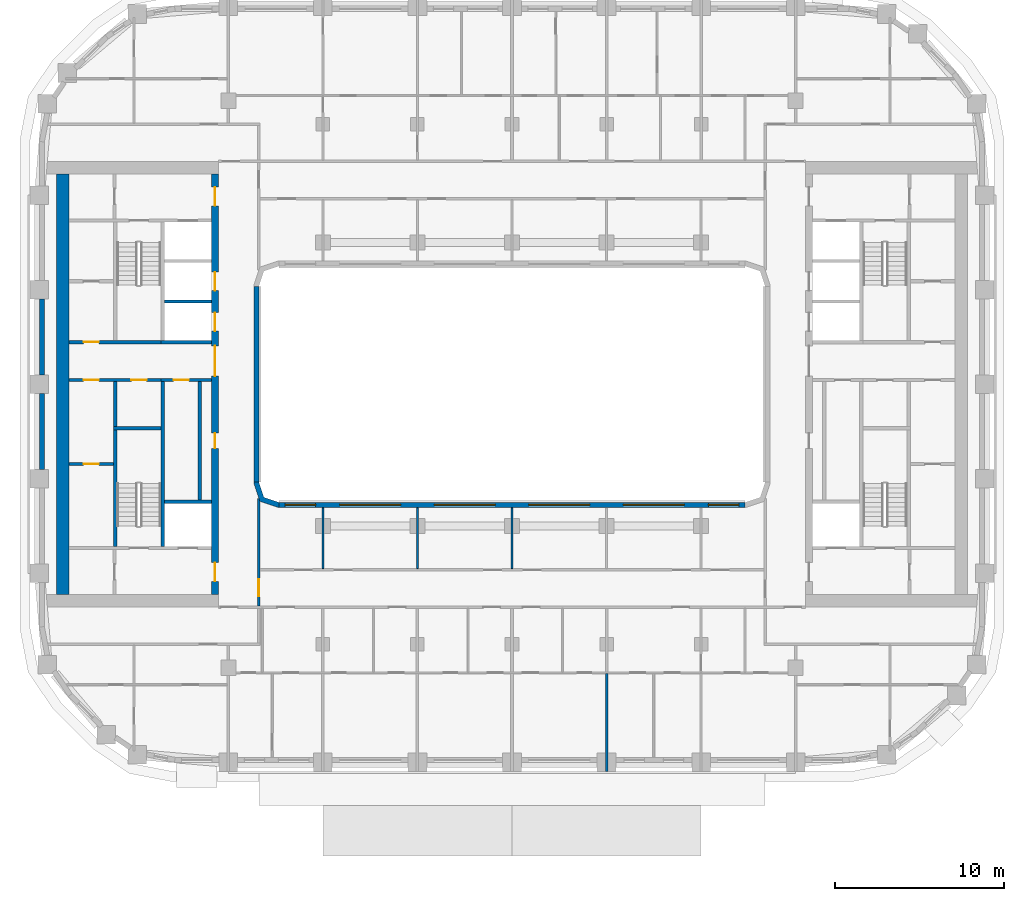
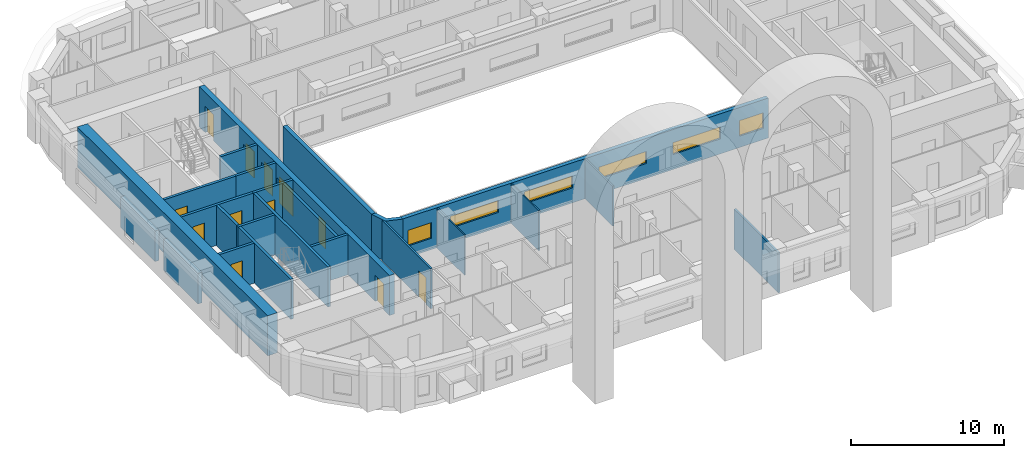
# One storey, part 4 of 18: 24 walls, 12 doors, 6 windows, 18 openings.
"""IFC4 building model written with IfcOpenShell, lengths in metres."""

from ifc_helpers import new_model, si_unit, direction, frame, frame_2d, origin, place, context, subcontext, project, spatial, polyline, rectangle, outline, extrude, material, layer, layer_set, type_object, element, fill, save


model = new_model("IFC4")

# Units and contexts
model_context = context("Model", 3, precision=1e-05, world=origin(), true_north=direction((0.0, 1.0)))
body_context = subcontext(model_context, "Body", "Model", "MODEL_VIEW")
ifc_project = project(units=[si_unit("LENGTHUNIT", "METRE"), si_unit("AREAUNIT", "SQUARE_METRE"), si_unit("VOLUMEUNIT", "CUBIC_METRE"), si_unit("PLANEANGLEUNIT", "RADIAN"), si_unit("MASSUNIT", "GRAM", prefix="KILO")], contexts=[model_context])

# Site, building, storey
site_placement = place(None, origin())
site = spatial("IfcSite", under=ifc_project, at=site_placement, CompositionType="ELEMENT")
building_placement = place(site_placement, origin())
building = spatial("IfcBuilding", under=site, at=building_placement, Name="Kiln Ring Residences", CompositionType="ELEMENT")
storey_placement = place(building_placement, frame((0.0, 0.0, 157.10009765625)))
storey = spatial("IfcBuildingStorey", under=building, at=storey_placement, Name="L40", CompositionType="ELEMENT", Elevation=157.10009765625)

# Wall
ifc_material_1 = material(Name="Gypsum board on steel studs", Category="steel")
ifc_layer_1 = layer(ifc_material_1, 0.199951171875)
ifc_layer_set_1 = layer_set([ifc_layer_1], Name="CORE-PARTITION-200")
wall_type_1 = type_object("IfcWallType", Name="CORE-PARTITION-200", PredefinedType="PARTITIONING", material=ifc_layer_set_1)
wall_1_placement = place(storey_placement, frame((-23.5, -2.5, 0.0), z_axis=(0.0, 0.0, 1.0), x_axis=(0.0, 1.0, 0.0)))
element("IfcWall", 1, at=wall_1_placement, inside=storey, type_object=wall_type_1, Name="Core partition west L40 1", PredefinedType="PARTITIONING", context=body_context, shape_type="SweptSolid", body=[
    extrude(rectangle(XDim=2.64990234375, YDim=0.199951171875, at=frame_2d((1.324951171875, 0.0))), origin(), (0.0, 0.0, 1.0), 3.199951171875),
])

# Wall, openings, doors
wall_2_placement = place(storey_placement, frame((-20.800048828125, 0.25, 0.0), z_axis=(0.0, 0.0, 1.0), x_axis=(-1.0, 0.0, 0.0)))
wall_2 = element("IfcWall", 2, at=wall_2_placement, inside=storey, type_object=wall_type_1, Name="Core partition west L40 2", PredefinedType="PARTITIONING", context=body_context, shape_type="SweptSolid", body=[
    extrude(rectangle(XDim=5.449951171875, YDim=0.199951171875, at=frame_2d((2.72509765625, 0.0))), origin(), (0.0, 0.0, 1.0), 3.199951171875),
])
opening_1_placement = place(wall_2_placement, frame((0.85009765625, 0.0, 0.0)))
opening_1 = element("IfcOpeningElement", 3, at=opening_1_placement, cuts=wall_2, Name="Opening L40-CW14", PredefinedType="OPENING", context=body_context, shape_type="SweptSolid", body=[
    extrude(rectangle(XDim=0.89990234375, YDim=2.10009765625, at=frame_2d((0.449951171875, 1.050048828125))), frame((0.0, 0.10986328125, 0.0), z_axis=(0.0, -1.0, 0.0), x_axis=(1.0, 0.0, 0.0)), (0.0, 0.0, 1.0), 0.219970703125),
])
opening_2_placement = place(wall_2_placement, frame((3.675048828125, 0.0, 0.0)))
opening_2 = element("IfcOpeningElement", 4, at=opening_2_placement, cuts=wall_2, Name="Opening L40-CW16", PredefinedType="OPENING", context=body_context, shape_type="SweptSolid", body=[
    extrude(rectangle(XDim=0.89990234375, YDim=2.10009765625, at=frame_2d((0.449951171875, 1.050048828125))), frame((0.0, 0.10986328125, 0.0), z_axis=(0.0, -1.0, 0.0), x_axis=(1.0, 0.0, 0.0)), (0.0, 0.0, 1.0), 0.219970703125),
])
ifc_material_2 = material(Name="Steel door leaf", Category="steel")
door_type_1 = type_object("IfcDoorType", Name="CORE-DOOR-ROOM", OperationType="SINGLE_SWING_LEFT", PredefinedType="DOOR", material=ifc_material_2)
door_1_placement = place(opening_1_placement, origin())
door_1 = element("IfcDoor", 5, at=door_1_placement, inside=storey, type_object=door_type_1, Name="Comms room L40-CW14", OperationType="SINGLE_SWING_RIGHT", OverallHeight=2.10009765625, OverallWidth=0.89990234375, PredefinedType="DOOR", context=body_context, shape_type="SweptSolid", body=[
    extrude(rectangle(XDim=0.89990234375, YDim=2.10009765625, at=frame_2d((0.449951171875, 1.050048828125))), frame((0.0, 0.02490234375, 0.0), z_axis=(0.0, -1.0, 0.0), x_axis=(1.0, 0.0, 0.0)), (0.0, 0.0, 1.0), 0.050048828125),
])
fill(opening_1, door_1)
door_2_placement = place(opening_2_placement, origin())
door_2 = element("IfcDoor", 6, at=door_2_placement, inside=storey, type_object=door_type_1, Name="Meter room L40-CW16", OperationType="SINGLE_SWING_RIGHT", OverallHeight=2.10009765625, OverallWidth=0.89990234375, PredefinedType="DOOR", context=body_context, shape_type="SweptSolid", body=[
    extrude(rectangle(XDim=0.89990234375, YDim=2.10009765625, at=frame_2d((0.449951171875, 1.050048828125))), frame((0.0, 0.02490234375, 0.0), z_axis=(0.0, -1.0, 0.0), x_axis=(1.0, 0.0, 0.0)), (0.0, 0.0, 1.0), 0.050048828125),
])
fill(opening_2, door_2)

# Wall
wall_3_placement = place(storey_placement, frame((-18.5, -6.85009765625, 0.0), z_axis=(0.0, 0.0, 1.0), x_axis=(0.0, 1.0, 0.0)))
element("IfcWall", 7, at=wall_3_placement, inside=storey, type_object=wall_type_1, Name="Core partition west L40 3", PredefinedType="PARTITIONING", context=body_context, shape_type="SweptSolid", body=[
    extrude(rectangle(XDim=7.0, YDim=0.199951171875, at=frame_2d((3.5, 0.0))), origin(), (0.0, 0.0, 1.0), 3.199951171875),
])

# Wall, opening, door
wall_4_placement = place(storey_placement, frame((-23.60009765625, -4.72509765625, 0.0), z_axis=(0.0, 0.0, 1.0), x_axis=(-1.0, 0.0, 0.0)))
wall_4 = element("IfcWall", 8, at=wall_4_placement, inside=storey, type_object=wall_type_1, Name="Core partition west L40 6", PredefinedType="PARTITIONING", context=body_context, shape_type="SweptSolid", body=[
    extrude(rectangle(XDim=2.64990234375, YDim=0.199951171875, at=frame_2d((1.324951171875, 0.0))), origin(), (0.0, 0.0, 1.0), 3.199951171875),
])
opening_3_placement = place(wall_4_placement, frame((0.875, 0.0, 0.0)))
opening_3 = element("IfcOpeningElement", 9, at=opening_3_placement, cuts=wall_4, Name="Opening L40-CW15", PredefinedType="OPENING", context=body_context, shape_type="SweptSolid", body=[
    extrude(rectangle(XDim=0.89990234375, YDim=2.10009765625, at=frame_2d((0.449951171875, 1.050048828125))), frame((0.0, 0.10986328125, 0.0), z_axis=(0.0, -1.0, 0.0), x_axis=(1.0, 0.0, 0.0)), (0.0, 0.0, 1.0), 0.219970703125),
])
door_3_placement = place(opening_3_placement, origin())
door_3 = element("IfcDoor", 10, at=door_3_placement, inside=storey, type_object=door_type_1, Name="Meter room L40-CW15", OperationType="SINGLE_SWING_RIGHT", OverallHeight=2.10009765625, OverallWidth=0.89990234375, PredefinedType="DOOR", context=body_context, shape_type="SweptSolid", body=[
    extrude(rectangle(XDim=0.89990234375, YDim=2.10009765625, at=frame_2d((0.449951171875, 1.050048828125))), frame((0.0, 0.02490234375, 0.0), z_axis=(0.0, -1.0, 0.0), x_axis=(1.0, 0.0, 0.0)), (0.0, 0.0, 1.0), 0.050048828125),
])
fill(opening_3, door_3)

# Wall
ifc_material_3 = material(Name="Gypsum shaft wall system")
ifc_layer_2 = layer(ifc_material_3, 0.199951171875)
ifc_layer_set_2 = layer_set([ifc_layer_2], Name="CORE-SHAFT-WALL-200")
wall_type_2 = type_object("IfcWallType", Name="CORE-SHAFT-WALL-200", PredefinedType="PARTITIONING", material=ifc_layer_set_2)
wall_5_placement = place(storey_placement, frame((-17.800048828125, -6.949951171875, 0.0), z_axis=(0.0, 0.0, 1.0), x_axis=(-1.0, 0.0, 0.0)))
element("IfcWall", 11, at=wall_5_placement, inside=storey, type_object=wall_type_2, Name="Core partition west L40 8", PredefinedType="PARTITIONING", context=body_context, shape_type="SweptSolid", body=[
    extrude(rectangle(XDim=2.800048828125, YDim=0.199951171875, at=frame_2d((1.39990234375, 0.0))), origin(), (0.0, 0.0, 1.0), 3.199951171875),
])

# Wall, opening, door
wall_6_placement = place(storey_placement, frame((-17.800048828125, 0.25, 0.0), z_axis=(0.0, 0.0, 1.0), x_axis=(-1.0, 0.0, 0.0)))
wall_6 = element("IfcWall", 12, at=wall_6_placement, inside=storey, type_object=wall_type_2, Name="Core partition west L40 9", PredefinedType="PARTITIONING", context=body_context, shape_type="SweptSolid", body=[
    extrude(rectangle(XDim=3.0, YDim=0.199951171875, at=frame_2d((1.5, 0.0))), origin(), (0.0, 0.0, 1.0), 3.199951171875),
])
opening_4_placement = place(wall_6_placement, frame((1.35009765625, 0.0, 0.0)))
opening_4 = element("IfcOpeningElement", 13, at=opening_4_placement, cuts=wall_6, Name="Opening L40-CW03", PredefinedType="OPENING", context=body_context, shape_type="SweptSolid", body=[
    extrude(rectangle(XDim=0.89990234375, YDim=2.10009765625, at=frame_2d((0.449951171875, 1.050048828125))), frame((0.0, 0.10986328125, 0.0), z_axis=(0.0, -1.0, 0.0), x_axis=(1.0, 0.0, 0.0)), (0.0, 0.0, 1.0), 0.219970703125),
])
door_4_placement = place(opening_4_placement, origin())
door_4 = element("IfcDoor", 14, at=door_4_placement, inside=storey, type_object=door_type_1, Name="Service store L40-CW03", OperationType="SINGLE_SWING_LEFT", OverallHeight=2.10009765625, OverallWidth=0.89990234375, PredefinedType="DOOR", context=body_context, shape_type="SweptSolid", body=[
    extrude(rectangle(XDim=0.89990234375, YDim=2.10009765625, at=frame_2d((0.449951171875, 1.050048828125))), frame((0.0, 0.02490234375, 0.0), z_axis=(0.0, -1.0, 0.0), x_axis=(1.0, 0.0, 0.0)), (0.0, 0.0, 1.0), 0.050048828125),
])
fill(opening_4, door_4)

# Walls
wall_7_placement = place(storey_placement, frame((-17.800048828125, 2.5, 0.0), z_axis=(0.0, 0.0, 1.0), x_axis=(-1.0, 0.0, 0.0)))
element("IfcWall", 15, at=wall_7_placement, inside=storey, type_object=wall_type_2, Name="Core partition west L40 10", PredefinedType="PARTITIONING", context=body_context, shape_type="SweptSolid", body=[
    extrude(rectangle(XDim=3.0, YDim=0.199951171875, at=frame_2d((1.5, 0.0))), origin(), (0.0, 0.0, 1.0), 3.199951171875),
])
wall_8_placement = place(storey_placement, frame((-17.800048828125, 4.89990234375, 0.0), z_axis=(0.0, 0.0, 1.0), x_axis=(-1.0, 0.0, 0.0)))
element("IfcWall", 16, at=wall_8_placement, inside=storey, type_object=wall_type_2, Name="Core partition west L40 11", PredefinedType="PARTITIONING", context=body_context, shape_type="SweptSolid", body=[
    extrude(rectangle(XDim=2.800048828125, YDim=0.199951171875, at=frame_2d((1.39990234375, 0.0))), origin(), (0.0, 0.0, 1.0), 3.199951171875),
])
ifc_material_4 = material(Name="Concrete C40/50", Category="concrete")
ifc_layer_3 = layer(ifc_material_4, 0.199951171875)
ifc_layer_set_3 = layer_set([ifc_layer_3], Name="CORE-WALL-RC200")
wall_type_3 = type_object("IfcWallType", Name="CORE-WALL-RC200", PredefinedType="SHEAR", material=ifc_layer_set_3)
wall_9_placement = place(storey_placement, frame((-20.699951171875, -9.60009765625, 0.0), z_axis=(0.0, 0.0, 1.0), x_axis=(0.0, 1.0, 0.0)))
element("IfcWall", 17, at=wall_9_placement, inside=storey, type_object=wall_type_3, Name="Core wall west L40 2", PredefinedType="SHEAR", context=body_context, shape_type="SweptSolid", body=[
    extrude(rectangle(XDim=9.75, YDim=0.199951171875, at=frame_2d((4.875, 0.0))), origin(), (0.0, 0.0, 1.0), 3.199951171875),
])

# Wall, opening, door
wall_10_placement = place(storey_placement, frame((-20.800048828125, 2.5, 0.0), z_axis=(0.0, 0.0, 1.0), x_axis=(-1.0, 0.0, 0.0)))
wall_10 = element("IfcWall", 18, at=wall_10_placement, inside=storey, type_object=wall_type_3, Name="Core wall west L40 3", PredefinedType="SHEAR", context=body_context, shape_type="SweptSolid", body=[
    extrude(rectangle(XDim=5.449951171875, YDim=0.199951171875, at=frame_2d((2.72509765625, 0.0))), origin(), (0.0, 0.0, 1.0), 3.199951171875),
])
opening_5_placement = place(wall_10_placement, frame((3.675048828125, 0.0, 0.0)))
opening_5 = element("IfcOpeningElement", 19, at=opening_5_placement, cuts=wall_10, Name="Opening L40-CW18", PredefinedType="OPENING", context=body_context, shape_type="SweptSolid", body=[
    extrude(rectangle(XDim=0.89990234375, YDim=2.10009765625, at=frame_2d((0.449951171875, 1.050048828125))), frame((0.0, 0.10986328125, 0.0), z_axis=(0.0, -1.0, 0.0), x_axis=(1.0, 0.0, 0.0)), (0.0, 0.0, 1.0), 0.219970703125),
])
door_5_placement = place(opening_5_placement, origin())
door_5 = element("IfcDoor", 20, at=door_5_placement, inside=storey, type_object=door_type_1, Name="Electrical plant room L40-CW18", OperationType="SINGLE_SWING_LEFT", OverallHeight=2.10009765625, OverallWidth=0.89990234375, PredefinedType="DOOR", context=body_context, shape_type="SweptSolid", body=[
    extrude(rectangle(XDim=0.89990234375, YDim=2.10009765625, at=frame_2d((0.449951171875, 1.050048828125))), frame((0.0, 0.02490234375, 0.0), z_axis=(0.0, -1.0, 0.0), x_axis=(1.0, 0.0, 0.0)), (0.0, 0.0, 1.0), 0.050048828125),
])
fill(opening_5, door_5)

# Walls
wall_11_placement = place(storey_placement, frame((-23.5, -9.60009765625, 0.0), z_axis=(0.0, 0.0, 1.0), x_axis=(0.0, 1.0, 0.0)))
element("IfcWall", 21, at=wall_11_placement, inside=storey, type_object=wall_type_3, Name="Core wall west L40 11", PredefinedType="SHEAR", context=body_context, shape_type="SweptSolid", body=[
    extrude(rectangle(XDim=6.900146484375, YDim=0.199951171875, at=frame_2d((3.4501953125, 0.0))), origin(), (0.0, 0.0, 1.0), 3.199951171875),
])
wall_12_placement = place(storey_placement, frame((-20.800048828125, -2.60009765625, 0.0), z_axis=(0.0, 0.0, 1.0), x_axis=(-1.0, 0.0, 0.0)))
element("IfcWall", 22, at=wall_12_placement, inside=storey, type_object=wall_type_3, Name="Core wall west L40 12", PredefinedType="SHEAR", context=body_context, shape_type="SweptSolid", body=[
    extrude(rectangle(XDim=2.800048828125, YDim=0.199951171875, at=frame_2d((1.39990234375, 0.0))), origin(), (0.0, 0.0, 1.0), 3.199951171875),
])

# Wall, openings, doors
ifc_material_5 = material(Name="Concrete C60/75", Category="concrete")
ifc_layer_4 = layer(ifc_material_5, 0.39990234375)
ifc_layer_set_4 = layer_set([ifc_layer_4], Name="CORE-WALL-RC400")
wall_type_4 = type_object("IfcWallType", Name="CORE-WALL-RC400", PredefinedType="SHEAR", material=ifc_layer_set_4)
wall_13_placement = place(storey_placement, frame((-17.60009765625, -12.449951171875, 0.0), z_axis=(0.0, 0.0, 1.0), x_axis=(0.0, 1.0, 0.0)))
wall_13 = element("IfcWall", 23, at=wall_13_placement, inside=storey, type_object=wall_type_4, Name="Core wall west L40 6", PredefinedType="SHEAR", context=body_context, shape_type="SweptSolid", body=[
    extrude(rectangle(XDim=24.89990234375, YDim=0.39990234375, at=frame_2d((12.449951171875, 0.0))), origin(), (0.0, 0.0, 1.0), 3.199951171875),
])
opening_6_placement = place(wall_13_placement, frame((8.64990234375, 0.0, 0.0)))
opening_6 = element("IfcOpeningElement", 24, at=opening_6_placement, cuts=wall_13, Name="Opening L40-CW02", PredefinedType="OPENING", context=body_context, shape_type="SweptSolid", body=[
    extrude(rectangle(XDim=0.89990234375, YDim=2.10009765625, at=frame_2d((0.449951171875, 1.050048828125))), frame((0.0, 0.2099609375, 0.0), z_axis=(0.0, -1.0, 0.0), x_axis=(1.0, 0.0, 0.0)), (0.0, 0.0, 1.0), 0.419921875),
])
opening_7_placement = place(wall_13_placement, frame((15.60009765625, 0.0, 0.0)))
opening_7 = element("IfcOpeningElement", 25, at=opening_7_placement, cuts=wall_13, Name="Opening L40-CW04", PredefinedType="OPENING", context=body_context, shape_type="SweptSolid", body=[
    extrude(rectangle(XDim=1.10009765625, YDim=2.10009765625, at=frame_2d((0.550048828125, 1.050048828125))), frame((0.0, 0.2099609375, 0.0), z_axis=(0.0, -1.0, 0.0), x_axis=(1.0, 0.0, 0.0)), (0.0, 0.0, 1.0), 0.419921875),
])
opening_8_placement = place(wall_13_placement, frame((18.0, 0.0, 0.0)))
opening_8 = element("IfcOpeningElement", 26, at=opening_8_placement, cuts=wall_13, Name="Opening L40-CW05", PredefinedType="OPENING", context=body_context, shape_type="SweptSolid", body=[
    extrude(rectangle(XDim=1.10009765625, YDim=2.10009765625, at=frame_2d((0.550048828125, 1.050048828125))), frame((0.0, 0.2099609375, 0.0), z_axis=(0.0, -1.0, 0.0), x_axis=(1.0, 0.0, 0.0)), (0.0, 0.0, 1.0), 0.419921875),
])
opening_9_placement = place(wall_13_placement, frame((23.02490234375, 0.0, 0.0)))
opening_9 = element("IfcOpeningElement", 27, at=opening_9_placement, cuts=wall_13, Name="Opening L40-CW07", PredefinedType="OPENING", context=body_context, shape_type="SweptSolid", body=[
    extrude(rectangle(XDim=1.10009765625, YDim=2.10009765625, at=frame_2d((0.550048828125, 1.050048828125))), frame((0.0, 0.2099609375, 0.0), z_axis=(0.0, -1.0, 0.0), x_axis=(1.0, 0.0, 0.0)), (0.0, 0.0, 1.0), 0.419921875),
])
opening_10_placement = place(wall_13_placement, frame((0.77490234375, 0.0, 0.0)))
opening_10 = element("IfcOpeningElement", 28, at=opening_10_placement, cuts=wall_13, Name="Opening L40-CW08", PredefinedType="OPENING", context=body_context, shape_type="SweptSolid", body=[
    extrude(rectangle(XDim=1.10009765625, YDim=2.10009765625, at=frame_2d((0.550048828125, 1.050048828125))), frame((0.0, 0.2099609375, 0.0), z_axis=(0.0, -1.0, 0.0), x_axis=(1.0, 0.0, 0.0)), (0.0, 0.0, 1.0), 0.419921875),
])
opening_11_placement = place(wall_13_placement, frame((12.925048828125, 0.0, 0.0)))
opening_11 = element("IfcOpeningElement", 29, at=opening_11_placement, cuts=wall_13, Name="Opening L40-CW13", PredefinedType="OPENING", context=body_context, shape_type="SweptSolid", body=[
    extrude(rectangle(XDim=1.800048828125, YDim=2.10009765625, at=frame_2d((0.89990234375, 1.050048828125))), frame((0.0, 0.2099609375, 0.0), z_axis=(0.0, -1.0, 0.0), x_axis=(1.0, 0.0, 0.0)), (0.0, 0.0, 1.0), 0.419921875),
])
ifc_material_6 = material(Name="Steel door leaf", Category="steel")
door_type_2 = type_object("IfcDoorType", Name="CORE-DOOR-LD", OperationType="DOUBLE_DOOR_SLIDING", PredefinedType="DOOR", material=ifc_material_6)
door_6_placement = place(opening_7_placement, origin())
door_6 = element("IfcDoor", 30, at=door_6_placement, inside=storey, type_object=door_type_2, Name="LD W-M1 L40-CW04", OperationType="DOUBLE_DOOR_SLIDING", OverallHeight=2.10009765625, OverallWidth=1.10009765625, PredefinedType="DOOR", context=body_context, shape_type="SweptSolid", body=[
    extrude(rectangle(XDim=1.10009765625, YDim=2.10009765625, at=frame_2d((0.550048828125, 1.050048828125))), frame((0.0, 0.02490234375, 0.0), z_axis=(0.0, -1.0, 0.0), x_axis=(1.0, 0.0, 0.0)), (0.0, 0.0, 1.0), 0.050048828125),
])
fill(opening_7, door_6)
door_7_placement = place(opening_8_placement, origin())
door_7 = element("IfcDoor", 31, at=door_7_placement, inside=storey, type_object=door_type_2, Name="LD W-M2 L40-CW05", OperationType="DOUBLE_DOOR_SLIDING", OverallHeight=2.10009765625, OverallWidth=1.10009765625, PredefinedType="DOOR", context=body_context, shape_type="SweptSolid", body=[
    extrude(rectangle(XDim=1.10009765625, YDim=2.10009765625, at=frame_2d((0.550048828125, 1.050048828125))), frame((0.0, 0.02490234375, 0.0), z_axis=(0.0, -1.0, 0.0), x_axis=(1.0, 0.0, 0.0)), (0.0, 0.0, 1.0), 0.050048828125),
])
fill(opening_8, door_7)
ifc_material_7 = material(Name="Steel door leaf", Category="steel")
door_type_3 = type_object("IfcDoorType", Name="CORE-DOOR-LOBBY", OperationType="SINGLE_SWING_LEFT", PredefinedType="DOOR", material=ifc_material_7)
door_8_placement = place(opening_9_placement, origin())
door_8 = element("IfcDoor", 32, at=door_8_placement, inside=storey, type_object=door_type_3, Name="FFL L40-CW07", OperationType="SINGLE_SWING_RIGHT", OverallHeight=2.10009765625, OverallWidth=1.10009765625, PredefinedType="DOOR", context=body_context, shape_type="SweptSolid", body=[
    extrude(rectangle(XDim=1.10009765625, YDim=2.10009765625, at=frame_2d((0.550048828125, 1.050048828125))), frame((0.0, 0.02490234375, 0.0), z_axis=(0.0, -1.0, 0.0), x_axis=(1.0, 0.0, 0.0)), (0.0, 0.0, 1.0), 0.050048828125),
])
fill(opening_9, door_8)
door_9_placement = place(opening_10_placement, origin())
door_9 = element("IfcDoor", 33, at=door_9_placement, inside=storey, type_object=door_type_3, Name="SVL L40-CW08", OperationType="SINGLE_SWING_LEFT", OverallHeight=2.10009765625, OverallWidth=1.10009765625, PredefinedType="DOOR", context=body_context, shape_type="SweptSolid", body=[
    extrude(rectangle(XDim=1.10009765625, YDim=2.10009765625, at=frame_2d((0.550048828125, 1.050048828125))), frame((0.0, 0.02490234375, 0.0), z_axis=(0.0, -1.0, 0.0), x_axis=(1.0, 0.0, 0.0)), (0.0, 0.0, 1.0), 0.050048828125),
])
fill(opening_10, door_9)
ifc_material_8 = material(Name="Steel door leaf", Category="steel")
door_type_4 = type_object("IfcDoorType", Name="CORE-DOOR-PASS", OperationType="DOUBLE_DOOR_SINGLE_SWING", PredefinedType="DOOR", material=ifc_material_8)
door_10_placement = place(opening_11_placement, origin())
door_10 = element("IfcDoor", 34, at=door_10_placement, inside=storey, type_object=door_type_4, Name="Core passage L40-CW13", OperationType="DOUBLE_DOOR_SINGLE_SWING", OverallHeight=2.10009765625, OverallWidth=1.800048828125, PredefinedType="DOOR", context=body_context, shape_type="SweptSolid", body=[
    extrude(rectangle(XDim=1.800048828125, YDim=2.10009765625, at=frame_2d((0.89990234375, 1.050048828125))), frame((0.0, 0.02490234375, 0.0), z_axis=(0.0, -1.0, 0.0), x_axis=(1.0, 0.0, 0.0)), (0.0, 0.0, 1.0), 0.050048828125),
])
fill(opening_11, door_10)
door_11_placement = place(opening_6_placement, origin())
door_11 = element("IfcDoor", 35, at=door_11_placement, inside=storey, type_object=door_type_1, Name="Locker store L40-CW02", OperationType="SINGLE_SWING_RIGHT", OverallHeight=2.10009765625, OverallWidth=0.89990234375, PredefinedType="DOOR", context=body_context, shape_type="SweptSolid", body=[
    extrude(rectangle(XDim=0.89990234375, YDim=2.10009765625, at=frame_2d((0.449951171875, 1.050048828125))), frame((0.0, 0.02490234375, 0.0), z_axis=(0.0, -1.0, 0.0), x_axis=(1.0, 0.0, 0.0)), (0.0, 0.0, 1.0), 0.050048828125),
])
fill(opening_6, door_11)

# Walls
ifc_material_9 = material(Name="Concrete C60/75", Category="concrete")
ifc_layer_5 = layer(ifc_material_9, 0.75)
ifc_layer_set_5 = layer_set([ifc_layer_5], Name="CORE-WALL-RC750")
wall_type_5 = type_object("IfcWallType", Name="CORE-WALL-RC750", PredefinedType="SHEAR", material=ifc_layer_set_5)
wall_14_placement = place(storey_placement, frame((-26.625, -12.449951171875, 0.0), z_axis=(0.0, 0.0, 1.0), x_axis=(0.0, 1.0, 0.0)))
element("IfcWall", 36, at=wall_14_placement, inside=storey, type_object=wall_type_5, Name="Core wall west L40 7", PredefinedType="SHEAR", context=body_context, shape_type="SweptSolid", body=[
    extrude(rectangle(XDim=24.89990234375, YDim=0.75, at=frame_2d((12.449951171875, 0.0))), origin(), (0.0, 0.0, 1.0), 3.199951171875),
])
ifc_material_10 = material(Name="Brick masonry, dark clay brick", Category="masonry")
ifc_layer_6 = layer(ifc_material_10, 0.300048828125)
ifc_layer_set_6 = layer_set([ifc_layer_6], Name="EW-300 BRICK WALL")
wall_type_6 = type_object("IfcWallType", Name="EW-300 BRICK WALL", PredefinedType="SOLIDWALL", material=ifc_layer_set_6)
for number, where, z_axis, x_axis, name in (
    (37, (-27.85009765625, 5.050048828125, 0.0), (0.0, 0.0, 1.0), (0.0, -1.0, 0.0), "Facade wall L40 43"),
    (38, (-27.85009765625, -0.550048828125, 0.0), (0.0, 0.0, 1.0), (0.0, -1.0, 0.0), "Facade wall L40 44"),
):
    element("IfcWall", number, at=place(storey_placement, frame(where, z_axis=z_axis, x_axis=x_axis)), inside=storey, type_object=wall_type_6, Name=name, PredefinedType="SOLIDWALL", context=body_context, shape_type="SweptSolid", body=[
        extrude(rectangle(XDim=4.5, YDim=0.300048828125, at=frame_2d((2.25, 0.0))), origin(), (0.0, 0.0, 1.0), 2.449951171875),
    ])
wall_15_placement = place(storey_placement, frame((-15.14990234375, -5.800048828125, 0.0), z_axis=(0.0, 0.0, 1.0), x_axis=(0.0, 1.0, 0.0)))
element("IfcWall", 39, at=wall_15_placement, inside=storey, type_object=wall_type_6, Name="Facade wall L40 49", PredefinedType="SOLIDWALL", context=body_context, shape_type="SweptSolid", body=[
    extrude(rectangle(XDim=11.60009765625, YDim=0.300048828125, at=frame_2d((5.800048828125, 0.0))), origin(), (0.0, 0.0, 1.0), 3.199951171875),
])

# Wall, openings, windows
wall_16_placement = place(storey_placement, frame((13.800048828125, -7.14990234375, 0.0), z_axis=(0.0, 0.0, 1.0), x_axis=(-1.0, 0.0, 0.0)))
wall_16 = element("IfcWall", 40, at=wall_16_placement, inside=storey, type_object=wall_type_6, Name="Facade wall L40 52", PredefinedType="SOLIDWALL", context=body_context, shape_type="SweptSolid", body=[
    extrude(rectangle(XDim=27.60009765625, YDim=0.300048828125, at=frame_2d((13.800048828125, 0.0))), origin(), (0.0, 0.0, 1.0), 3.199951171875),
])
opening_12_placement = place(wall_16_placement, frame((0.362548828125, 0.0, 0.89990234375)))
opening_12 = element("IfcOpeningElement", 41, at=opening_12_placement, cuts=wall_16, Name="Opening W2", PredefinedType="OPENING", context=body_context, shape_type="SweptSolid", body=[
    extrude(rectangle(XDim=1.800048828125, YDim=1.25, at=frame_2d((0.89990234375, 0.625))), frame((0.0, 0.159912109375, 0.0), z_axis=(0.0, -1.0, 0.0), x_axis=(1.0, 0.0, 0.0)), (0.0, 0.0, 1.0), 0.320068359375),
])
opening_13_placement = place(wall_16_placement, frame((3.60009765625, 0.0, 1.199951171875)))
opening_13 = element("IfcOpeningElement", 42, at=opening_13_placement, cuts=wall_16, Name="Opening W4", PredefinedType="OPENING", context=body_context, shape_type="SweptSolid", body=[
    extrude(rectangle(XDim=3.60009765625, YDim=0.949951171875, at=frame_2d((1.800048828125, 0.47509765625))), frame((0.0, 0.159912109375, 0.0), z_axis=(0.0, -1.0, 0.0), x_axis=(1.0, 0.0, 0.0)), (0.0, 0.0, 1.0), 0.320068359375),
])
opening_14_placement = place(wall_16_placement, frame((9.199951171875, 0.0, 1.199951171875)))
opening_14 = element("IfcOpeningElement", 43, at=opening_14_placement, cuts=wall_16, Name="Opening W4", PredefinedType="OPENING", context=body_context, shape_type="SweptSolid", body=[
    extrude(rectangle(XDim=3.60009765625, YDim=0.949951171875, at=frame_2d((1.800048828125, 0.47509765625))), frame((0.0, 0.159912109375, 0.0), z_axis=(0.0, -1.0, 0.0), x_axis=(1.0, 0.0, 0.0)), (0.0, 0.0, 1.0), 0.320068359375),
])
opening_15_placement = place(wall_16_placement, frame((14.800048828125, 0.0, 1.199951171875)))
opening_15 = element("IfcOpeningElement", 44, at=opening_15_placement, cuts=wall_16, Name="Opening W4", PredefinedType="OPENING", context=body_context, shape_type="SweptSolid", body=[
    extrude(rectangle(XDim=3.60009765625, YDim=0.949951171875, at=frame_2d((1.800048828125, 0.47509765625))), frame((0.0, 0.159912109375, 0.0), z_axis=(0.0, -1.0, 0.0), x_axis=(1.0, 0.0, 0.0)), (0.0, 0.0, 1.0), 0.320068359375),
])
opening_16_placement = place(wall_16_placement, frame((20.39990234375, 0.0, 1.199951171875)))
opening_16 = element("IfcOpeningElement", 45, at=opening_16_placement, cuts=wall_16, Name="Opening W4", PredefinedType="OPENING", context=body_context, shape_type="SweptSolid", body=[
    extrude(rectangle(XDim=3.60009765625, YDim=0.949951171875, at=frame_2d((1.800048828125, 0.47509765625))), frame((0.0, 0.159912109375, 0.0), z_axis=(0.0, -1.0, 0.0), x_axis=(1.0, 0.0, 0.0)), (0.0, 0.0, 1.0), 0.320068359375),
])
opening_17_placement = place(wall_16_placement, frame((25.4375, 0.0, 0.89990234375)))
opening_17 = element("IfcOpeningElement", 46, at=opening_17_placement, cuts=wall_16, Name="Opening W2", PredefinedType="OPENING", context=body_context, shape_type="SweptSolid", body=[
    extrude(rectangle(XDim=1.800048828125, YDim=1.25, at=frame_2d((0.89990234375, 0.625))), frame((0.0, 0.159912109375, 0.0), z_axis=(0.0, -1.0, 0.0), x_axis=(1.0, 0.0, 0.0)), (0.0, 0.0, 1.0), 0.320068359375),
])
ifc_material_11 = material(Name="Aluminium frame with double glazing", Category="aluminium")
window_type_1 = type_object("IfcWindowType", Name="WINDOW 1800 x 1250", PartitioningType="SINGLE_PANEL", PredefinedType="WINDOW", material=ifc_material_11)
window_1_placement = place(opening_12_placement, origin())
window_1 = element("IfcWindow", 47, at=window_1_placement, inside=storey, type_object=window_type_1, Name="Window L40 38", OverallHeight=1.25, OverallWidth=1.800048828125, PartitioningType="SINGLE_PANEL", PredefinedType="WINDOW", context=body_context, shape_type="SweptSolid", body=[
    extrude(rectangle(XDim=1.800048828125, YDim=1.25, at=frame_2d((0.89990234375, 0.625))), frame((0.0, 0.030029296875, 0.0), z_axis=(0.0, -1.0, 0.0), x_axis=(1.0, 0.0, 0.0)), (0.0, 0.0, 1.0), 0.06005859375),
])
fill(opening_12, window_1)
window_2_placement = place(opening_17_placement, origin())
window_2 = element("IfcWindow", 48, at=window_2_placement, inside=storey, type_object=window_type_1, Name="Window L40 43", OverallHeight=1.25, OverallWidth=1.800048828125, PartitioningType="SINGLE_PANEL", PredefinedType="WINDOW", context=body_context, shape_type="SweptSolid", body=[
    extrude(rectangle(XDim=1.800048828125, YDim=1.25, at=frame_2d((0.89990234375, 0.625))), frame((0.0, 0.030029296875, 0.0), z_axis=(0.0, -1.0, 0.0), x_axis=(1.0, 0.0, 0.0)), (0.0, 0.0, 1.0), 0.06005859375),
])
fill(opening_17, window_2)
ifc_material_12 = material(Name="Aluminium frame with double glazing", Category="aluminium")
window_type_2 = type_object("IfcWindowType", Name="WINDOW 3600 x 950", PartitioningType="SINGLE_PANEL", PredefinedType="WINDOW", material=ifc_material_12)
window_3_placement = place(opening_13_placement, origin())
window_3 = element("IfcWindow", 49, at=window_3_placement, inside=storey, type_object=window_type_2, Name="Window L40 39", OverallHeight=0.949951171875, OverallWidth=3.60009765625, PartitioningType="SINGLE_PANEL", PredefinedType="WINDOW", context=body_context, shape_type="SweptSolid", body=[
    extrude(rectangle(XDim=3.60009765625, YDim=0.949951171875, at=frame_2d((1.800048828125, 0.47509765625))), frame((0.0, 0.030029296875, 0.0), z_axis=(0.0, -1.0, 0.0), x_axis=(1.0, 0.0, 0.0)), (0.0, 0.0, 1.0), 0.06005859375),
])
fill(opening_13, window_3)
window_4_placement = place(opening_14_placement, origin())
window_4 = element("IfcWindow", 50, at=window_4_placement, inside=storey, type_object=window_type_2, Name="Window L40 40", OverallHeight=0.949951171875, OverallWidth=3.60009765625, PartitioningType="SINGLE_PANEL", PredefinedType="WINDOW", context=body_context, shape_type="SweptSolid", body=[
    extrude(rectangle(XDim=3.60009765625, YDim=0.949951171875, at=frame_2d((1.800048828125, 0.47509765625))), frame((0.0, 0.030029296875, 0.0), z_axis=(0.0, -1.0, 0.0), x_axis=(1.0, 0.0, 0.0)), (0.0, 0.0, 1.0), 0.06005859375),
])
fill(opening_14, window_4)
window_5_placement = place(opening_15_placement, origin())
window_5 = element("IfcWindow", 51, at=window_5_placement, inside=storey, type_object=window_type_2, Name="Window L40 41", OverallHeight=0.949951171875, OverallWidth=3.60009765625, PartitioningType="SINGLE_PANEL", PredefinedType="WINDOW", context=body_context, shape_type="SweptSolid", body=[
    extrude(rectangle(XDim=3.60009765625, YDim=0.949951171875, at=frame_2d((1.800048828125, 0.47509765625))), frame((0.0, 0.030029296875, 0.0), z_axis=(0.0, -1.0, 0.0), x_axis=(1.0, 0.0, 0.0)), (0.0, 0.0, 1.0), 0.06005859375),
])
fill(opening_15, window_5)
window_6_placement = place(opening_16_placement, origin())
window_6 = element("IfcWindow", 52, at=window_6_placement, inside=storey, type_object=window_type_2, Name="Window L40 42", OverallHeight=0.949951171875, OverallWidth=3.60009765625, PartitioningType="SINGLE_PANEL", PredefinedType="WINDOW", context=body_context, shape_type="SweptSolid", body=[
    extrude(rectangle(XDim=3.60009765625, YDim=0.949951171875, at=frame_2d((1.800048828125, 0.47509765625))), frame((0.0, 0.030029296875, 0.0), z_axis=(0.0, -1.0, 0.0), x_axis=(1.0, 0.0, 0.0)), (0.0, 0.0, 1.0), 0.06005859375),
])
fill(opening_16, window_6)

# Walls
wall_17_placement = place(storey_placement, origin())
element("IfcWall", 53, at=wall_17_placement, inside=storey, type_object=wall_type_6, Name="Corner wall L40 4", PredefinedType="SOLIDWALL", context=body_context, shape_type="SweptSolid", body=[
    extrude(outline(polyline([(-14.937255859375, -6.937255859375), (-13.8486328125, -7.300048828125), (-13.800048828125, -7.300048828125), (-13.800048828125, -7.0), (-14.699951171875, -6.699951171875), (-15.0, -5.800048828125), (-15.300048828125, -5.800048828125), (-15.300048828125, -5.8486328125), (-14.937255859375, -6.937255859375)])), origin(), (0.0, 0.0, 1.0), 3.199951171875),
])
ifc_material_13 = material(Name="Gypsum board on steel studs", Category="steel")
ifc_layer_7 = layer(ifc_material_13, 0.10009765625)
ifc_layer_set_7 = layer_set([ifc_layer_7], Name="PARTITION-100")
wall_type_7 = type_object("IfcWallType", Name="PARTITION-100", PredefinedType="PARTITIONING", material=ifc_layer_set_7)
for number, where, z_axis, x_axis, name in (
    (54, (-11.199951171875, -10.925048828125, 0.0), (0.0, 0.0, 1.0), (0.0, 1.0, 0.0), "Partition 026"),
    (55, (-5.60009765625, -10.925048828125, 0.0), (0.0, 0.0, 1.0), (0.0, 1.0, 0.0), "Partition 033"),
    (56, (0.0, -10.925048828125, 0.0), (0.0, 0.0, 1.0), (0.0, 1.0, 0.0), "Partition 041"),
):
    element("IfcWall", number, at=place(storey_placement, frame(where, z_axis=z_axis, x_axis=x_axis)), inside=storey, type_object=wall_type_7, Name=name, PredefinedType="PARTITIONING", context=body_context, shape_type="SweptSolid", body=[
        extrude(rectangle(XDim=3.60498046875, YDim=0.10009765625, at=frame_2d((1.802490234375, 0.0))), origin(), (0.0, 0.0, 1.0), 3.199951171875),
    ])

# Wall, opening, door
ifc_material_14 = material(Name="Brick masonry partition", Category="masonry")
ifc_layer_8 = layer(ifc_material_14, 0.14990234375)
ifc_layer_set_8 = layer_set([ifc_layer_8], Name="PARTITION-150-ei60")
wall_type_8 = type_object("IfcWallType", Name="PARTITION-150-ei60", PredefinedType="PARTITIONING", material=ifc_layer_set_8)
wall_18_placement = place(storey_placement, frame((-15.0, -13.125, 0.0), z_axis=(0.0, 0.0, 1.0), x_axis=(0.0, 1.0, 0.0)))
wall_18 = element("IfcWall", 57, at=wall_18_placement, inside=storey, type_object=wall_type_8, Name="Partition 021", PredefinedType="PARTITIONING", context=body_context, shape_type="SweptSolid", body=[
    extrude(rectangle(XDim=6.356201171875, YDim=0.14990234375, at=frame_2d((3.17822265625, 0.0))), origin(), (0.0, 0.0, 1.0), 3.199951171875),
])
opening_18_placement = place(wall_18_placement, frame((0.574951171875, 0.0, 0.0)))
opening_18 = element("IfcOpeningElement", 58, at=opening_18_placement, cuts=wall_18, Name="Opening L40-D005", PredefinedType="OPENING", context=body_context, shape_type="SweptSolid", body=[
    extrude(rectangle(XDim=1.0, YDim=2.10009765625, at=frame_2d((0.5, 1.050048828125))), frame((0.0, 0.0849609375, 0.0), z_axis=(0.0, -1.0, 0.0), x_axis=(1.0, 0.0, 0.0)), (0.0, 0.0, 1.0), 0.169921875),
])
ifc_material_15 = material(Name="Steel faced fire door leaf", Category="steel")
door_type_5 = type_object("IfcDoorType", Name="FLAT-DOOR-1000-FR", OperationType="SINGLE_SWING_LEFT", PredefinedType="DOOR", material=ifc_material_15)
door_12_placement = place(opening_18_placement, origin())
door_12 = element("IfcDoor", 59, at=door_12_placement, inside=storey, type_object=door_type_5, Name="Door L40-D005", OperationType="SINGLE_SWING_RIGHT", OverallHeight=2.10009765625, OverallWidth=1.0, PredefinedType="DOOR", context=body_context, shape_type="SweptSolid", body=[
    extrude(rectangle(XDim=1.0, YDim=2.10009765625, at=frame_2d((0.5, 1.050048828125))), frame((0.0, 0.02490234375, 0.0), z_axis=(0.0, -1.0, 0.0), x_axis=(1.0, 0.0, 0.0)), (0.0, 0.0, 1.0), 0.050048828125),
])
fill(opening_18, door_12)

# Wall
wall_19_placement = place(storey_placement, frame((5.60009765625, -22.929931640625, 0.0), z_axis=(0.0, 0.0, 1.0), x_axis=(0.0, 1.0, 0.0)))
element("IfcWall", 60, at=wall_19_placement, inside=storey, type_object=wall_type_8, Name="Partition 052", PredefinedType="PARTITIONING", context=body_context, shape_type="SweptSolid", body=[
    extrude(rectangle(XDim=5.780029296875, YDim=0.14990234375, at=frame_2d((2.89013671875, 0.0))), origin(), (0.0, 0.0, 1.0), 3.199951171875),
])

save(model, "model.ifc")
